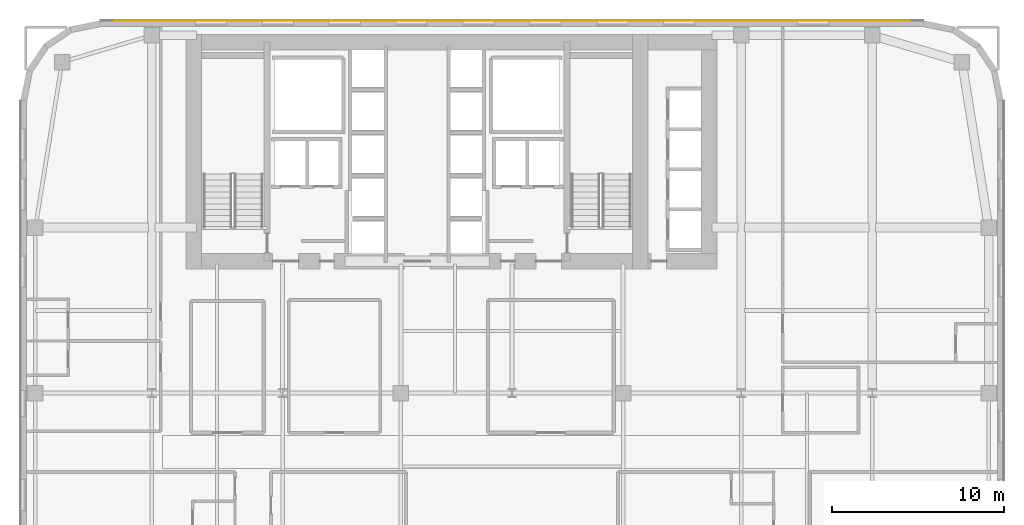
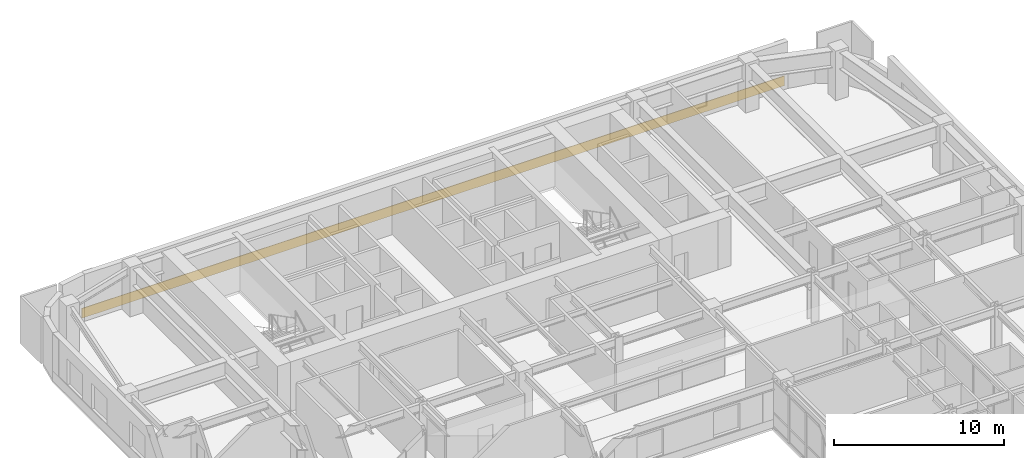
# One storey, part 23 of 24: 1 covering.
"""IFC4 building model written with IfcOpenShell, lengths in metres."""

from ifc_helpers import new_model, si_unit, direction, frame, origin, place, context, subcontext, project, spatial, polyline, outline, extrude, material, layer, layer_set, type_object, element, save


model = new_model("IFC4")

# Units and contexts
model_context = context("Model", 3, precision=1e-05, world=origin(), true_north=direction((0.0, 1.0)))
body_context = subcontext(model_context, "Body", "Model", "MODEL_VIEW")
ifc_project = project(units=[si_unit("LENGTHUNIT", "METRE"), si_unit("AREAUNIT", "SQUARE_METRE"), si_unit("VOLUMEUNIT", "CUBIC_METRE"), si_unit("PLANEANGLEUNIT", "RADIAN"), si_unit("MASSUNIT", "GRAM", prefix="KILO")], contexts=[model_context])

# Site, building, storey
site_placement = place(None, origin())
site = spatial("IfcSite", under=ifc_project, at=site_placement, CompositionType="ELEMENT")
building_placement = place(site_placement, origin())
building = spatial("IfcBuilding", under=site, at=building_placement, Name="Tolvann Quenvar Hotel", CompositionType="ELEMENT")
storey_placement = place(building_placement, frame((0.0, 0.0, 81.699951171875)))
storey = spatial("IfcBuildingStorey", under=building, at=storey_placement, Name="L20", CompositionType="ELEMENT", Elevation=81.699951171875)

# Covering
ifc_material = material(Name="Moulded buff architectural terracotta spandrel cladding", Category="masonry")
ifc_layer = layer(ifc_material, 0.0400390625)
ifc_layer_set = layer_set([ifc_layer], Name="Moulded buff architectural terracotta spandrel cladding")
covering_type = type_object("IfcCoveringType", Name="COV_CLAD_TERRA_40", PredefinedType="CLADDING", material=ifc_layer_set)
covering_placement = place(storey_placement, origin())
element("IfcCovering", 1, at=covering_placement, inside=storey, type_object=covering_type, Name="Terracotta Spandrel Cladding (L20-E18)", PredefinedType="CLADDING", context=body_context, shape_type="SweptSolid", body=[
    extrude(outline(polyline([(52.3427734375, 46.0), (4.6572265625, 46.0), (4.6572265625, 46.0400390625), (52.3427734375, 46.0400390625), (52.3427734375, 46.0)])), origin(), (0.0, 0.0, 1.0), 0.699951171875),
])

save(model, "model.ifc")
